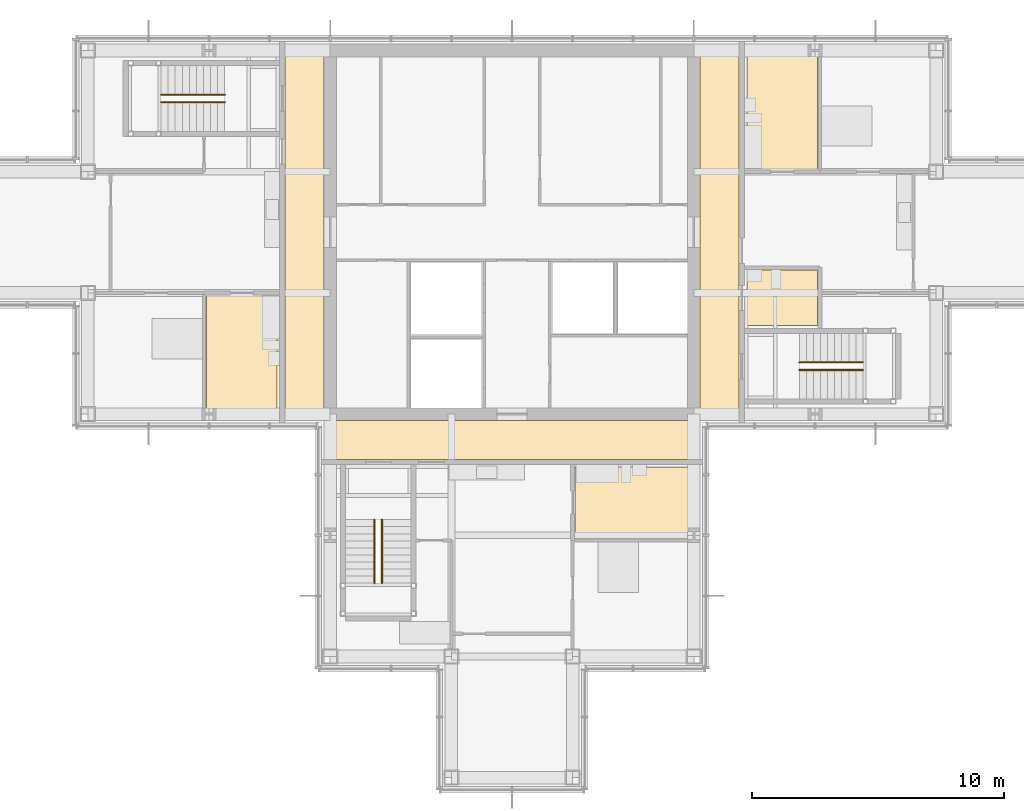
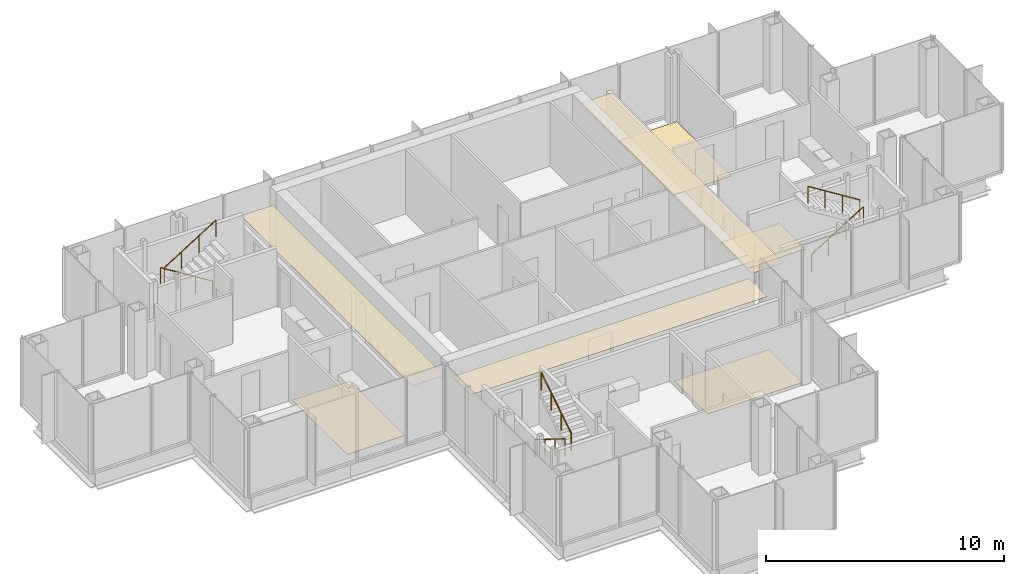
# One storey, part 13 of 15: 7 coverings, 6 railings.
"""IFC4 building model written with IfcOpenShell, lengths in metres."""

from ifc_helpers import new_model, si_unit, direction, frame, origin, origin_2d, place, context, subcontext, project, spatial, polyline, circle, outline, extrude, material, layer, layer_set, type_object, element, save


model = new_model("IFC4")

# Units and contexts
model_context = context("Model", 3, precision=1e-05, world=origin(), true_north=direction((0.0, 1.0)))
body_context = subcontext(model_context, "Body", "Model", "MODEL_VIEW")
ifc_project = project(units=[si_unit("LENGTHUNIT", "METRE"), si_unit("AREAUNIT", "SQUARE_METRE"), si_unit("VOLUMEUNIT", "CUBIC_METRE"), si_unit("PLANEANGLEUNIT", "RADIAN"), si_unit("MASSUNIT", "GRAM", prefix="KILO")], contexts=[model_context])

# Site, building, storey
site_placement = place(None, origin())
site = spatial("IfcSite", under=ifc_project, at=site_placement, CompositionType="ELEMENT")
building_placement = place(site_placement, origin())
building = spatial("IfcBuilding", under=site, at=building_placement, Name="Kvirike Care Tower", CompositionType="ELEMENT")
storey_placement = place(building_placement, frame((0.0, 0.0, 198.0)))
storey = spatial("IfcBuildingStorey", under=building, at=storey_placement, Name="L54", CompositionType="ELEMENT", Elevation=198.0)

# Coverings
ifc_material_1 = material(Name="Perforated metal ceiling tile", Category="aluminium")
ifc_layer_1 = layer(ifc_material_1, 0.014892578125)
ifc_layer_set_1 = layer_set([ifc_layer_1], Name="CORRIDOR CEILING 15")
covering_type_1 = type_object("IfcCoveringType", Name="CORRIDOR CEILING 15", PredefinedType="CEILING", material=ifc_layer_set_1)
covering_1_placement = place(storey_placement, frame((0.0, 0.0, 2.5)))
element("IfcCovering", 1, at=covering_1_placement, inside=storey, type_object=covering_type_1, Name="Corridor ceiling L54", PredefinedType="CEILING", context=body_context, shape_type="SweptSolid", body=[
    extrude(outline(polyline([(12.60009765625, 43.199951171875), (14.14990234375, 43.199951171875), (14.14990234375, 28.800048828125), (12.60009765625, 28.800048828125), (12.60009765625, 43.199951171875)])), origin(), (0.0, 0.0, 1.0), 0.014892578125),
])
covering_2_placement = place(storey_placement, frame((0.0, 0.0, 2.5)))
element("IfcCovering", 2, at=covering_2_placement, inside=storey, type_object=covering_type_1, Name="Corridor ceiling L54", PredefinedType="CEILING", context=body_context, shape_type="SweptSolid", body=[
    extrude(outline(polyline([(14.39990234375, 27.0), (14.39990234375, 28.550048828125), (28.800048828125, 28.550048828125), (28.800048828125, 27.0), (14.39990234375, 27.0)])), origin(), (0.0, 0.0, 1.0), 0.014892578125),
])
covering_3_placement = place(storey_placement, frame((0.0, 0.0, 2.5)))
element("IfcCovering", 3, at=covering_3_placement, inside=storey, type_object=covering_type_1, Name="Corridor ceiling L54", PredefinedType="CEILING", context=body_context, shape_type="SweptSolid", body=[
    extrude(outline(polyline([(30.60009765625, 28.800048828125), (29.050048828125, 28.800048828125), (29.050048828125, 43.199951171875), (30.60009765625, 43.199951171875), (30.60009765625, 28.800048828125)])), origin(), (0.0, 0.0, 1.0), 0.014892578125),
])

# Railings
ifc_material_2 = material(Name="Stainless steel handrail", Category="steel")
railing_type = type_object("IfcRailingType", Name="STAIR HANDRAIL 900", PredefinedType="HANDRAIL", material=ifc_material_2)
railing_1_placement = place(storey_placement, frame((10.219970703125, 41.449951171875, 0.175048828125)))
element("IfcRailing", 4, at=railing_1_placement, inside=storey, type_object=railing_type, Name="Stair 1 handrail L54 flight 1", PredefinedType="HANDRAIL", context=body_context, shape_type="SweptSolid", body=[
    extrude(circle(Radius=0.02490234375, at=origin_2d()), frame((0.0, 0.0, 0.875), z_axis=(-0.848007534815, 0.0, 0.529984170421), x_axis=(0.0, -1.0, 0.0)), (0.0, 0.0, 1.0), 2.9716796875),
    extrude(circle(Radius=0.02001953125, at=origin_2d()), origin(), (0.0, 0.0, 1.0), 0.849853515625),
    extrude(circle(Radius=0.02001953125, at=origin_2d()), frame((-0.840087890625, 0.0, 0.52490234375)), (0.0, 0.0, 1.0), 0.849853515625),
    extrude(circle(Radius=0.02001953125, at=origin_2d()), frame((-1.679931640625, 0.0, 1.050048828125)), (0.0, 0.0, 1.0), 0.849853515625),
    extrude(circle(Radius=0.02001953125, at=origin_2d()), frame((-2.52001953125, 0.0, 1.574951171875)), (0.0, 0.0, 1.0), 0.849853515625),
])
for number, where, name in (
    (5, (7.699951171875, 41.14990234375, 1.925048828125), "Stair 1 handrail L54 flight 2"),
    (6, (32.97998046875, 30.550048828125, 0.175048828125), "Stair 2 handrail L54 flight 1"),
):
    element("IfcRailing", number, at=place(storey_placement, frame(where)), inside=storey, type_object=railing_type, Name=name, PredefinedType="HANDRAIL", context=body_context, shape_type="SweptSolid", body=[
        extrude(circle(Radius=0.02490234375, at=origin_2d()), frame((0.0, 0.0, 0.875), z_axis=(0.848007534815, 0.0, 0.529984170421), x_axis=(0.0, 1.0, 0.0)), (0.0, 0.0, 1.0), 2.9716796875),
        extrude(circle(Radius=0.02001953125, at=origin_2d()), origin(), (0.0, 0.0, 1.0), 0.849853515625),
        extrude(circle(Radius=0.02001953125, at=origin_2d()), frame((0.840087890625, 0.0, 0.52490234375)), (0.0, 0.0, 1.0), 0.849853515625),
        extrude(circle(Radius=0.02001953125, at=origin_2d()), frame((1.679931640625, 0.0, 1.050048828125)), (0.0, 0.0, 1.0), 0.849853515625),
        extrude(circle(Radius=0.02001953125, at=origin_2d()), frame((2.52001953125, 0.0, 1.574951171875)), (0.0, 0.0, 1.0), 0.849853515625),
    ])
railing_2_placement = place(storey_placement, frame((35.5, 30.85009765625, 1.925048828125)))
element("IfcRailing", 7, at=railing_2_placement, inside=storey, type_object=railing_type, Name="Stair 2 handrail L54 flight 2", PredefinedType="HANDRAIL", context=body_context, shape_type="SweptSolid", body=[
    extrude(circle(Radius=0.02490234375, at=origin_2d()), frame((0.0, 0.0, 0.875), z_axis=(-0.848007534815, 0.0, 0.529984170421), x_axis=(0.0, -1.0, 0.0)), (0.0, 0.0, 1.0), 2.9716796875),
    extrude(circle(Radius=0.02001953125, at=origin_2d()), origin(), (0.0, 0.0, 1.0), 0.849853515625),
    extrude(circle(Radius=0.02001953125, at=origin_2d()), frame((-0.840087890625, 0.0, 0.52490234375)), (0.0, 0.0, 1.0), 0.849853515625),
    extrude(circle(Radius=0.02001953125, at=origin_2d()), frame((-1.679931640625, 0.0, 1.050048828125)), (0.0, 0.0, 1.0), 0.849853515625),
    extrude(circle(Radius=0.02001953125, at=origin_2d()), frame((-2.52001953125, 0.0, 1.574951171875)), (0.0, 0.0, 1.0), 0.849853515625),
])
railing_3_placement = place(storey_placement, frame((16.14990234375, 24.6201171875, 0.175048828125)))
element("IfcRailing", 8, at=railing_3_placement, inside=storey, type_object=railing_type, Name="Stair 5 handrail L54 flight 1", PredefinedType="HANDRAIL", context=body_context, shape_type="SweptSolid", body=[
    extrude(circle(Radius=0.02490234375, at=origin_2d()), frame((0.0, 0.0, 0.875), z_axis=(0.0, -0.848007534815, 0.529984170421), x_axis=(1.0, 0.0, 0.0)), (0.0, 0.0, 1.0), 2.9716796875),
    extrude(circle(Radius=0.02001953125, at=origin_2d()), origin(), (0.0, 0.0, 1.0), 0.849853515625),
    extrude(circle(Radius=0.02001953125, at=origin_2d()), frame((0.0, -0.840087890625, 0.52490234375)), (0.0, 0.0, 1.0), 0.849853515625),
    extrude(circle(Radius=0.02001953125, at=origin_2d()), frame((0.0, -1.679931640625, 1.050048828125)), (0.0, 0.0, 1.0), 0.849853515625),
    extrude(circle(Radius=0.02001953125, at=origin_2d()), frame((0.0, -2.52001953125, 1.574951171875)), (0.0, 0.0, 1.0), 0.849853515625),
])
railing_4_placement = place(storey_placement, frame((16.449951171875, 22.10009765625, 1.925048828125)))
element("IfcRailing", 9, at=railing_4_placement, inside=storey, type_object=railing_type, Name="Stair 5 handrail L54 flight 2", PredefinedType="HANDRAIL", context=body_context, shape_type="SweptSolid", body=[
    extrude(circle(Radius=0.02490234375, at=origin_2d()), frame((0.0, 0.0, 0.875), z_axis=(0.0, 0.848007534815, 0.529984170421), x_axis=(-1.0, 0.0, 0.0)), (0.0, 0.0, 1.0), 2.9716796875),
    extrude(circle(Radius=0.02001953125, at=origin_2d()), origin(), (0.0, 0.0, 1.0), 0.849853515625),
    extrude(circle(Radius=0.02001953125, at=origin_2d()), frame((0.0, 0.840087890625, 0.52490234375)), (0.0, 0.0, 1.0), 0.849853515625),
    extrude(circle(Radius=0.02001953125, at=origin_2d()), frame((0.0, 1.679931640625, 1.050048828125)), (0.0, 0.0, 1.0), 0.849853515625),
    extrude(circle(Radius=0.02001953125, at=origin_2d()), frame((0.0, 2.52001953125, 1.574951171875)), (0.0, 0.0, 1.0), 0.849853515625),
])

# Coverings
ifc_material_3 = material(Name="Slip-resistant vinyl safety flooring on screed")
ifc_layer_2 = layer(ifc_material_3, 0.02001953125)
ifc_layer_set_2 = layer_set([ifc_layer_2], Name="WET ROOM FLOOR 20")
covering_type_2 = type_object("IfcCoveringType", Name="WET ROOM FLOOR 20", PredefinedType="FLOORING", material=ifc_layer_set_2)
covering_4_placement = place(storey_placement, origin())
element("IfcCovering", 10, at=covering_4_placement, inside=storey, type_object=covering_type_2, Name="Bathroom floor L54-006", PredefinedType="FLOORING", context=body_context, shape_type="SweptSolid", body=[
    extrude(outline(polyline([(9.5, 33.5), (12.300048828125, 33.5), (12.300048828125, 28.89990234375), (9.5, 28.89990234375), (9.5, 33.5)])), origin(), (0.0, 0.0, 1.0), 0.02001953125),
])
covering_5_placement = place(storey_placement, origin())
element("IfcCovering", 11, at=covering_5_placement, inside=storey, type_object=covering_type_2, Name="Bathroom floor L54-013", PredefinedType="FLOORING", context=body_context, shape_type="SweptSolid", body=[
    extrude(outline(polyline([(24.10009765625, 23.89990234375), (24.10009765625, 26.699951171875), (28.699951171875, 26.699951171875), (28.699951171875, 23.89990234375), (24.10009765625, 23.89990234375)])), origin(), (0.0, 0.0, 1.0), 0.02001953125),
])
covering_6_placement = place(storey_placement, origin())
element("IfcCovering", 12, at=covering_6_placement, inside=storey, type_object=covering_type_2, Name="Accessible WC floor L54-020", PredefinedType="FLOORING", context=body_context, shape_type="SweptSolid", body=[
    extrude(outline(polyline([(33.699951171875, 32.300048828125), (30.89990234375, 32.300048828125), (30.89990234375, 34.5), (33.699951171875, 34.5), (33.699951171875, 32.300048828125)])), origin(), (0.0, 0.0, 1.0), 0.02001953125),
])
covering_7_placement = place(storey_placement, origin())
element("IfcCovering", 13, at=covering_7_placement, inside=storey, type_object=covering_type_2, Name="Bathroom floor L54-021", PredefinedType="FLOORING", context=body_context, shape_type="SweptSolid", body=[
    extrude(outline(polyline([(33.699951171875, 38.5), (30.89990234375, 38.5), (30.89990234375, 43.10009765625), (33.699951171875, 43.10009765625), (33.699951171875, 38.5)])), origin(), (0.0, 0.0, 1.0), 0.02001953125),
])

save(model, "model.ifc")
